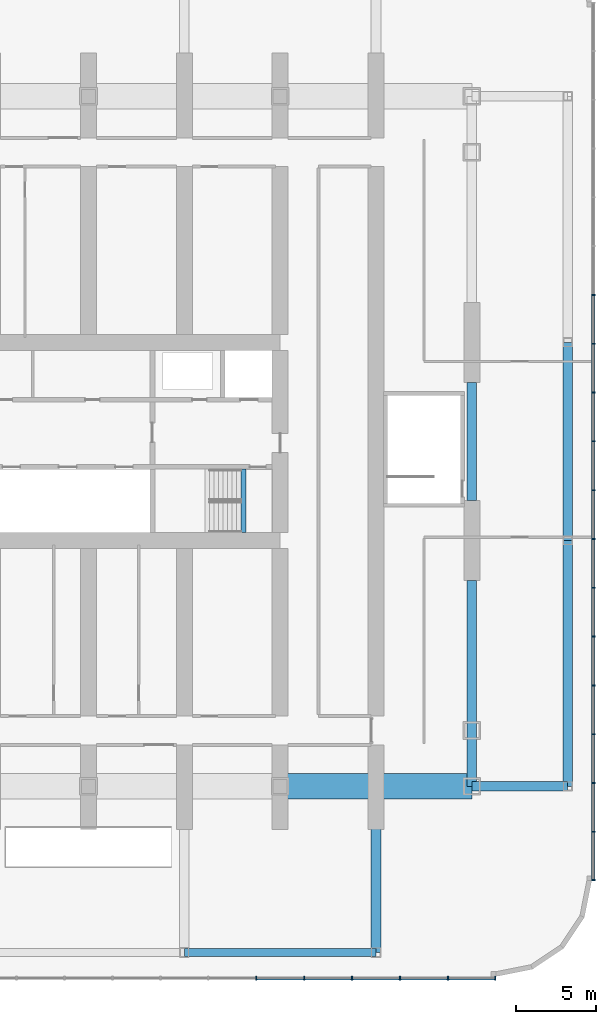
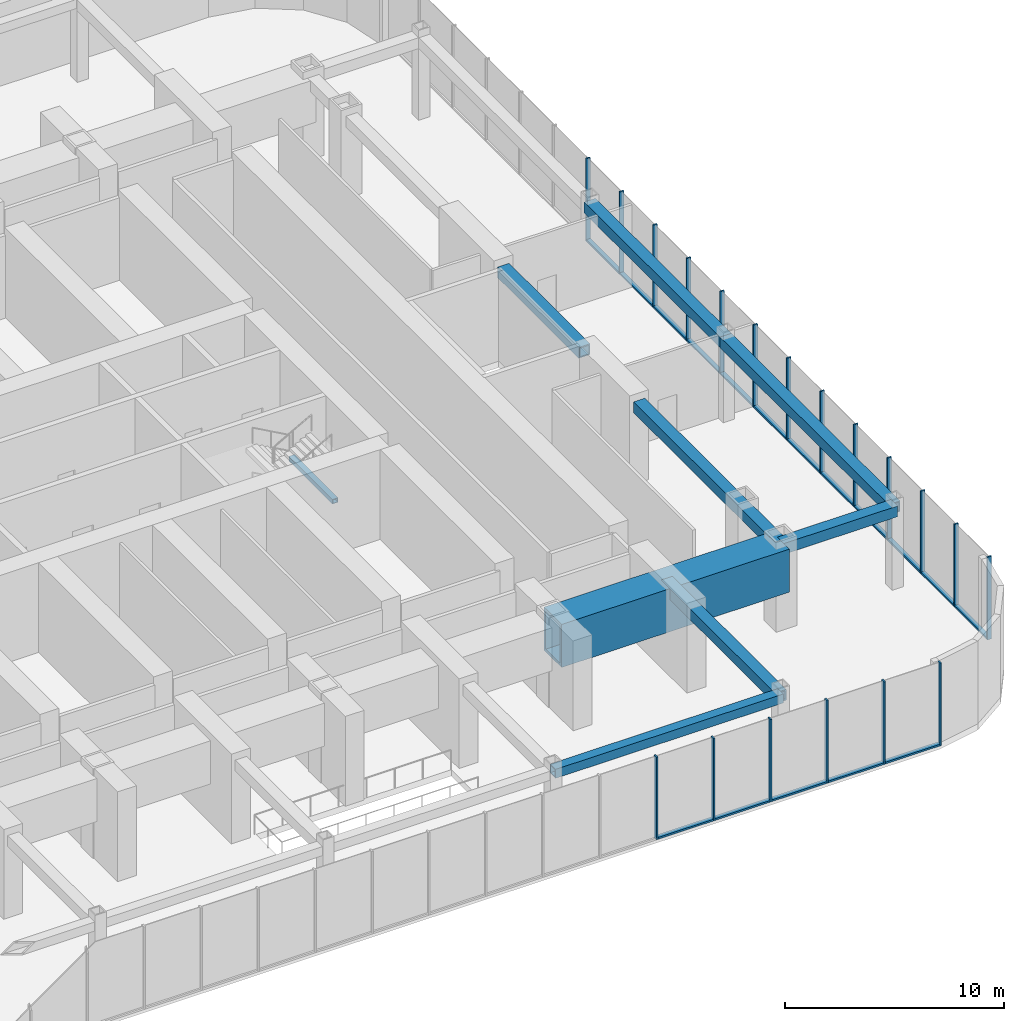
# One storey, part 8 of 26: 36 members, 9 beams, 2 elements without a shape of their own.
"""IFC4 building model written with IfcOpenShell, lengths in metres."""

from ifc_helpers import new_model, si_unit, direction, frame, origin, origin_2d, place, context, subcontext, project, spatial, rectangle, hollow_rectangle, extrude, material, material_profile, profile_set, type_object, element, aggregate, save


model = new_model("IFC4")

# Units and contexts
model_context = context("Model", 3, precision=1e-05, world=origin(), true_north=direction((0.0, 1.0)))
body_context = subcontext(model_context, "Body", "Model", "MODEL_VIEW")
ifc_project = project(units=[si_unit("LENGTHUNIT", "METRE"), si_unit("AREAUNIT", "SQUARE_METRE"), si_unit("VOLUMEUNIT", "CUBIC_METRE"), si_unit("PLANEANGLEUNIT", "RADIAN"), si_unit("MASSUNIT", "GRAM", prefix="KILO")], contexts=[model_context])

# Site, building, storey
site_placement = place(None, origin())
site = spatial("IfcSite", under=ifc_project, at=site_placement, CompositionType="ELEMENT")
building_placement = place(site_placement, origin())
building = spatial("IfcBuilding", under=site, at=building_placement, Name="Orbita Commons", CompositionType="ELEMENT")
storey_placement = place(building_placement, frame((0.0, 0.0, 11.0)))
storey = spatial("IfcBuildingStorey", under=building, at=storey_placement, Name="L02", CompositionType="ELEMENT", Elevation=11.0)

# Curtain wall, members
ifc_material_1 = material(Name="Anodised aluminium frame, pale silver", Category="aluminium")
curtain_wall_type = type_object("IfcCurtainWallType", Name="Podium storefront curtain wall CW-P", PredefinedType="NOTDEFINED", material=ifc_material_1)
curtain_wall_1_placement = place(storey_placement, origin())
curtain_wall_1 = element("IfcCurtainWall", 1, at=curtain_wall_1_placement, inside=storey, type_object=curtain_wall_type, Name="Curtain wall S 1 L02", PredefinedType="NOTDEFINED")
ifc_material_2 = material(Name="Anodised aluminium, pale silver", Category="aluminium")
ifc_material_profile_1 = material_profile(ifc_material_2, rectangle(XDim=0.080078125, YDim=0.219970703125, at=origin_2d()), Name="AL 80x220")
ifc_profile_set_1 = profile_set([ifc_material_profile_1], Name="Anodised aluminium, pale silver")
member_type_1 = type_object("IfcMemberType", Name="Curtain wall mullion 80x220", PredefinedType="MULLION", material=ifc_profile_set_1)
member_1_placement = place(storey_placement, frame((64.5, -1.610107421875, 0.0), z_axis=(0.0, 0.0, 1.0), x_axis=(1.0, 0.0, 0.0)))
member_1 = element("IfcMember", 2, at=member_1_placement, type_object=member_type_1, Name="Mullion 21 CW-L02-S0", PredefinedType="MULLION", context=body_context, shape_type="SweptSolid", body=[
    extrude(rectangle(XDim=0.080078125, YDim=0.219970703125, at=origin_2d()), origin(), (0.0, 0.0, 1.0), 4.60009765625),
])
member_2_placement = place(storey_placement, frame((67.5, -1.610107421875, 0.0), z_axis=(0.0, 0.0, 1.0), x_axis=(1.0, 0.0, 0.0)))
member_2 = element("IfcMember", 3, at=member_2_placement, type_object=member_type_1, Name="Mullion 22 CW-L02-S0", PredefinedType="MULLION", context=body_context, shape_type="SweptSolid", body=[
    extrude(rectangle(XDim=0.080078125, YDim=0.219970703125, at=origin_2d()), origin(), (0.0, 0.0, 1.0), 4.60009765625),
])
member_3_placement = place(storey_placement, frame((70.5, -1.610107421875, 0.0), z_axis=(0.0, 0.0, 1.0), x_axis=(1.0, 0.0, 0.0)))
member_3 = element("IfcMember", 4, at=member_3_placement, type_object=member_type_1, Name="Mullion 23 CW-L02-S0", PredefinedType="MULLION", context=body_context, shape_type="SweptSolid", body=[
    extrude(rectangle(XDim=0.080078125, YDim=0.219970703125, at=origin_2d()), origin(), (0.0, 0.0, 1.0), 4.60009765625),
])
member_4_placement = place(storey_placement, frame((73.5, -1.610107421875, 0.0), z_axis=(0.0, 0.0, 1.0), x_axis=(1.0, 0.0, 0.0)))
member_4 = element("IfcMember", 5, at=member_4_placement, type_object=member_type_1, Name="Mullion 24 CW-L02-S0", PredefinedType="MULLION", context=body_context, shape_type="SweptSolid", body=[
    extrude(rectangle(XDim=0.080078125, YDim=0.219970703125, at=origin_2d()), origin(), (0.0, 0.0, 1.0), 4.60009765625),
])
member_5_placement = place(storey_placement, frame((76.5, -1.610107421875, 0.0), z_axis=(0.0, 0.0, 1.0), x_axis=(1.0, 0.0, 0.0)))
member_5 = element("IfcMember", 6, at=member_5_placement, type_object=member_type_1, Name="Mullion 25 CW-L02-S0", PredefinedType="MULLION", context=body_context, shape_type="SweptSolid", body=[
    extrude(rectangle(XDim=0.080078125, YDim=0.219970703125, at=origin_2d()), origin(), (0.0, 0.0, 1.0), 4.60009765625),
])
member_6_placement = place(storey_placement, frame((79.4599609375, -1.610107421875, 0.0), z_axis=(0.0, 0.0, 1.0), x_axis=(1.0, 0.0, 0.0)))
member_6 = element("IfcMember", 7, at=member_6_placement, type_object=member_type_1, Name="Mullion 26 CW-L02-S0", PredefinedType="MULLION", context=body_context, shape_type="SweptSolid", body=[
    extrude(rectangle(XDim=0.080078125, YDim=0.219970703125, at=origin_2d()), origin(), (0.0, 0.0, 1.0), 4.60009765625),
])

curtain_wall_2_placement = place(storey_placement, origin())
curtain_wall_2 = element("IfcCurtainWall", 8, at=curtain_wall_2_placement, inside=storey, type_object=curtain_wall_type, Name="Curtain wall E 1 L02", PredefinedType="NOTDEFINED")
member_7_placement = place(storey_placement, frame((85.610107421875, 4.5400390625, 0.0), z_axis=(0.0, 0.0, 1.0), x_axis=(0.0, 1.0, 0.0)))
member_7 = element("IfcMember", 9, at=member_7_placement, type_object=member_type_1, Name="Mullion 1 CW-L02-E0", PredefinedType="MULLION", context=body_context, shape_type="SweptSolid", body=[
    extrude(rectangle(XDim=0.080078125, YDim=0.219970703125, at=origin_2d()), origin(), (0.0, 0.0, 1.0), 4.60009765625),
])
member_8_placement = place(storey_placement, frame((85.610107421875, 7.5556640625, 0.0), z_axis=(0.0, 0.0, 1.0), x_axis=(0.0, 1.0, 0.0)))
member_8 = element("IfcMember", 10, at=member_8_placement, type_object=member_type_1, Name="Mullion 2 CW-L02-E0", PredefinedType="MULLION", context=body_context, shape_type="SweptSolid", body=[
    extrude(rectangle(XDim=0.080078125, YDim=0.219970703125, at=origin_2d()), origin(), (0.0, 0.0, 1.0), 4.60009765625),
])
member_9_placement = place(storey_placement, frame((85.610107421875, 10.611083984375, 0.0), z_axis=(0.0, 0.0, 1.0), x_axis=(0.0, 1.0, 0.0)))
member_9 = element("IfcMember", 11, at=member_9_placement, type_object=member_type_1, Name="Mullion 3 CW-L02-E0", PredefinedType="MULLION", context=body_context, shape_type="SweptSolid", body=[
    extrude(rectangle(XDim=0.080078125, YDim=0.219970703125, at=origin_2d()), origin(), (0.0, 0.0, 1.0), 4.60009765625),
])
member_10_placement = place(storey_placement, frame((85.610107421875, 13.666748046875, 0.0), z_axis=(0.0, 0.0, 1.0), x_axis=(0.0, 1.0, 0.0)))
member_10 = element("IfcMember", 12, at=member_10_placement, type_object=member_type_1, Name="Mullion 4 CW-L02-E0", PredefinedType="MULLION", context=body_context, shape_type="SweptSolid", body=[
    extrude(rectangle(XDim=0.080078125, YDim=0.219970703125, at=origin_2d()), origin(), (0.0, 0.0, 1.0), 4.60009765625),
])
member_11_placement = place(storey_placement, frame((85.610107421875, 16.72216796875, 0.0), z_axis=(0.0, 0.0, 1.0), x_axis=(0.0, 1.0, 0.0)))
member_11 = element("IfcMember", 13, at=member_11_placement, type_object=member_type_1, Name="Mullion 5 CW-L02-E0", PredefinedType="MULLION", context=body_context, shape_type="SweptSolid", body=[
    extrude(rectangle(XDim=0.080078125, YDim=0.219970703125, at=origin_2d()), origin(), (0.0, 0.0, 1.0), 4.60009765625),
])
member_12_placement = place(storey_placement, frame((85.610107421875, 19.77783203125, 0.0), z_axis=(0.0, 0.0, 1.0), x_axis=(0.0, 1.0, 0.0)))
member_12 = element("IfcMember", 14, at=member_12_placement, type_object=member_type_1, Name="Mullion 6 CW-L02-E0", PredefinedType="MULLION", context=body_context, shape_type="SweptSolid", body=[
    extrude(rectangle(XDim=0.080078125, YDim=0.219970703125, at=origin_2d()), origin(), (0.0, 0.0, 1.0), 4.60009765625),
])
member_13_placement = place(storey_placement, frame((85.610107421875, 22.833251953125, 0.0), z_axis=(0.0, 0.0, 1.0), x_axis=(0.0, 1.0, 0.0)))
member_13 = element("IfcMember", 15, at=member_13_placement, type_object=member_type_1, Name="Mullion 7 CW-L02-E0", PredefinedType="MULLION", context=body_context, shape_type="SweptSolid", body=[
    extrude(rectangle(XDim=0.080078125, YDim=0.219970703125, at=origin_2d()), origin(), (0.0, 0.0, 1.0), 4.60009765625),
])
member_14_placement = place(storey_placement, frame((85.610107421875, 25.888916015625, 0.0), z_axis=(0.0, 0.0, 1.0), x_axis=(0.0, 1.0, 0.0)))
member_14 = element("IfcMember", 16, at=member_14_placement, type_object=member_type_1, Name="Mullion 8 CW-L02-E0", PredefinedType="MULLION", context=body_context, shape_type="SweptSolid", body=[
    extrude(rectangle(XDim=0.080078125, YDim=0.219970703125, at=origin_2d()), origin(), (0.0, 0.0, 1.0), 4.60009765625),
])
member_15_placement = place(storey_placement, frame((85.610107421875, 28.9443359375, 0.0), z_axis=(0.0, 0.0, 1.0), x_axis=(0.0, 1.0, 0.0)))
member_15 = element("IfcMember", 17, at=member_15_placement, type_object=member_type_1, Name="Mullion 9 CW-L02-E0", PredefinedType="MULLION", context=body_context, shape_type="SweptSolid", body=[
    extrude(rectangle(XDim=0.080078125, YDim=0.219970703125, at=origin_2d()), origin(), (0.0, 0.0, 1.0), 4.60009765625),
])
member_16_placement = place(storey_placement, frame((85.610107421875, 32.0, 0.0), z_axis=(0.0, 0.0, 1.0), x_axis=(0.0, 1.0, 0.0)))
member_16 = element("IfcMember", 18, at=member_16_placement, type_object=member_type_1, Name="Mullion 10 CW-L02-E0", PredefinedType="MULLION", context=body_context, shape_type="SweptSolid", body=[
    extrude(rectangle(XDim=0.080078125, YDim=0.219970703125, at=origin_2d()), origin(), (0.0, 0.0, 1.0), 4.60009765625),
])
member_17_placement = place(storey_placement, frame((85.610107421875, 35.0556640625, 0.0), z_axis=(0.0, 0.0, 1.0), x_axis=(0.0, 1.0, 0.0)))
member_17 = element("IfcMember", 19, at=member_17_placement, type_object=member_type_1, Name="Mullion 11 CW-L02-E0", PredefinedType="MULLION", context=body_context, shape_type="SweptSolid", body=[
    extrude(rectangle(XDim=0.080078125, YDim=0.219970703125, at=origin_2d()), origin(), (0.0, 0.0, 1.0), 4.60009765625),
])
member_18_placement = place(storey_placement, frame((85.610107421875, 38.111083984375, 0.0), z_axis=(0.0, 0.0, 1.0), x_axis=(0.0, 1.0, 0.0)))
member_18 = element("IfcMember", 20, at=member_18_placement, type_object=member_type_1, Name="Mullion 12 CW-L02-E0", PredefinedType="MULLION", context=body_context, shape_type="SweptSolid", body=[
    extrude(rectangle(XDim=0.080078125, YDim=0.219970703125, at=origin_2d()), origin(), (0.0, 0.0, 1.0), 4.60009765625),
])
member_19_placement = place(storey_placement, frame((85.610107421875, 41.166748046875, 0.0), z_axis=(0.0, 0.0, 1.0), x_axis=(0.0, 1.0, 0.0)))
member_19 = element("IfcMember", 21, at=member_19_placement, type_object=member_type_1, Name="Mullion 13 CW-L02-E0", PredefinedType="MULLION", context=body_context, shape_type="SweptSolid", body=[
    extrude(rectangle(XDim=0.080078125, YDim=0.219970703125, at=origin_2d()), origin(), (0.0, 0.0, 1.0), 4.60009765625),
])

# Member
ifc_material_3 = material(Name="Anodised aluminium, pale silver", Category="aluminium")
ifc_material_profile_2 = material_profile(ifc_material_3, rectangle(XDim=0.219970703125, YDim=0.10009765625, at=origin_2d()), Name="AL 220x100")
ifc_profile_set_2 = profile_set([ifc_material_profile_2], Name="Anodised aluminium, pale silver")
member_type_2 = type_object("IfcMemberType", Name="Curtain wall stack transom 220x100", PredefinedType="USERDEFINED", material=ifc_profile_set_2)
member_20_placement = place(storey_placement, frame((64.5400390625, -1.610107421875, 0.050048828125), z_axis=(1.0, 0.0, 0.0), x_axis=(0.0, 1.0, 0.0)))
member_20 = element("IfcMember", 22, at=member_20_placement, type_object=member_type_2, Name="Transom 21.1 CW-L02-S0", ObjectType="TRANSOM", PredefinedType="USERDEFINED", context=body_context, shape_type="SweptSolid", body=[
    extrude(rectangle(XDim=0.219970703125, YDim=0.10009765625, at=origin_2d()), origin(), (0.0, 0.0, 1.0), 2.919921875),
])

member_21_placement = place(storey_placement, frame((67.5400390625, -1.610107421875, 0.050048828125), z_axis=(1.0, 0.0, 0.0), x_axis=(0.0, 1.0, 0.0)))
member_21 = element("IfcMember", 23, at=member_21_placement, type_object=member_type_2, Name="Transom 22.1 CW-L02-S0", ObjectType="TRANSOM", PredefinedType="USERDEFINED", context=body_context, shape_type="SweptSolid", body=[
    extrude(rectangle(XDim=0.219970703125, YDim=0.10009765625, at=origin_2d()), origin(), (0.0, 0.0, 1.0), 2.919921875),
])

member_22_placement = place(storey_placement, frame((70.5400390625, -1.610107421875, 0.050048828125), z_axis=(1.0, 0.0, 0.0), x_axis=(0.0, 1.0, 0.0)))
member_22 = element("IfcMember", 24, at=member_22_placement, type_object=member_type_2, Name="Transom 23.1 CW-L02-S0", ObjectType="TRANSOM", PredefinedType="USERDEFINED", context=body_context, shape_type="SweptSolid", body=[
    extrude(rectangle(XDim=0.219970703125, YDim=0.10009765625, at=origin_2d()), origin(), (0.0, 0.0, 1.0), 2.919921875),
])

member_23_placement = place(storey_placement, frame((73.5400390625, -1.610107421875, 0.050048828125), z_axis=(1.0, 0.0, 0.0), x_axis=(0.0, 1.0, 0.0)))
member_23 = element("IfcMember", 25, at=member_23_placement, type_object=member_type_2, Name="Transom 24.1 CW-L02-S0", ObjectType="TRANSOM", PredefinedType="USERDEFINED", context=body_context, shape_type="SweptSolid", body=[
    extrude(rectangle(XDim=0.219970703125, YDim=0.10009765625, at=origin_2d()), origin(), (0.0, 0.0, 1.0), 2.919921875),
])

member_24_placement = place(storey_placement, frame((76.5400390625, -1.610107421875, 0.050048828125), z_axis=(1.0, 0.0, 0.0), x_axis=(0.0, 1.0, 0.0)))
member_24 = element("IfcMember", 26, at=member_24_placement, type_object=member_type_2, Name="Transom 25.1 CW-L02-S0", ObjectType="TRANSOM", PredefinedType="USERDEFINED", context=body_context, shape_type="SweptSolid", body=[
    extrude(rectangle(XDim=0.219970703125, YDim=0.10009765625, at=origin_2d()), origin(), (0.0, 0.0, 1.0), 2.8798828125),
])

aggregate(curtain_wall_1, [member_1, member_2, member_3, member_4, member_5, member_6, member_20, member_21, member_22, member_23, member_24])

member_25_placement = place(storey_placement, frame((85.610107421875, 4.580078125, 0.050048828125), z_axis=(0.0, 1.0, 0.0), x_axis=(-1.0, 0.0, 0.0)))
member_25 = element("IfcMember", 27, at=member_25_placement, type_object=member_type_2, Name="Transom 1.1 CW-L02-E0", ObjectType="TRANSOM", PredefinedType="USERDEFINED", context=body_context, shape_type="SweptSolid", body=[
    extrude(rectangle(XDim=0.219970703125, YDim=0.10009765625, at=origin_2d()), origin(), (0.0, 0.0, 1.0), 2.935546875),
])

member_26_placement = place(storey_placement, frame((85.610107421875, 7.595458984375, 0.050048828125), z_axis=(0.0, 1.0, 0.0), x_axis=(-1.0, 0.0, 0.0)))
member_26 = element("IfcMember", 28, at=member_26_placement, type_object=member_type_2, Name="Transom 2.1 CW-L02-E0", ObjectType="TRANSOM", PredefinedType="USERDEFINED", context=body_context, shape_type="SweptSolid", body=[
    extrude(rectangle(XDim=0.219970703125, YDim=0.10009765625, at=origin_2d()), origin(), (0.0, 0.0, 1.0), 2.9755859375),
])

member_27_placement = place(storey_placement, frame((85.610107421875, 10.651123046875, 0.050048828125), z_axis=(0.0, 1.0, 0.0), x_axis=(-1.0, 0.0, 0.0)))
member_27 = element("IfcMember", 29, at=member_27_placement, type_object=member_type_2, Name="Transom 3.1 CW-L02-E0", ObjectType="TRANSOM", PredefinedType="USERDEFINED", context=body_context, shape_type="SweptSolid", body=[
    extrude(rectangle(XDim=0.219970703125, YDim=0.10009765625, at=origin_2d()), origin(), (0.0, 0.0, 1.0), 2.9755859375),
])

member_28_placement = place(storey_placement, frame((85.610107421875, 13.706787109375, 0.050048828125), z_axis=(0.0, 1.0, 0.0), x_axis=(-1.0, 0.0, 0.0)))
member_28 = element("IfcMember", 30, at=member_28_placement, type_object=member_type_2, Name="Transom 4.1 CW-L02-E0", ObjectType="TRANSOM", PredefinedType="USERDEFINED", context=body_context, shape_type="SweptSolid", body=[
    extrude(rectangle(XDim=0.219970703125, YDim=0.10009765625, at=origin_2d()), origin(), (0.0, 0.0, 1.0), 2.975341796875),
])

member_29_placement = place(storey_placement, frame((85.610107421875, 16.76220703125, 0.050048828125), z_axis=(0.0, 1.0, 0.0), x_axis=(-1.0, 0.0, 0.0)))
member_29 = element("IfcMember", 31, at=member_29_placement, type_object=member_type_2, Name="Transom 5.1 CW-L02-E0", ObjectType="TRANSOM", PredefinedType="USERDEFINED", context=body_context, shape_type="SweptSolid", body=[
    extrude(rectangle(XDim=0.219970703125, YDim=0.10009765625, at=origin_2d()), origin(), (0.0, 0.0, 1.0), 2.9755859375),
])

member_30_placement = place(storey_placement, frame((85.610107421875, 19.81787109375, 0.050048828125), z_axis=(0.0, 1.0, 0.0), x_axis=(-1.0, 0.0, 0.0)))
member_30 = element("IfcMember", 32, at=member_30_placement, type_object=member_type_2, Name="Transom 6.1 CW-L02-E0", ObjectType="TRANSOM", PredefinedType="USERDEFINED", context=body_context, shape_type="SweptSolid", body=[
    extrude(rectangle(XDim=0.219970703125, YDim=0.10009765625, at=origin_2d()), origin(), (0.0, 0.0, 1.0), 2.975341796875),
])

member_31_placement = place(storey_placement, frame((85.610107421875, 22.873291015625, 0.050048828125), z_axis=(0.0, 1.0, 0.0), x_axis=(-1.0, 0.0, 0.0)))
member_31 = element("IfcMember", 33, at=member_31_placement, type_object=member_type_2, Name="Transom 7.1 CW-L02-E0", ObjectType="TRANSOM", PredefinedType="USERDEFINED", context=body_context, shape_type="SweptSolid", body=[
    extrude(rectangle(XDim=0.219970703125, YDim=0.10009765625, at=origin_2d()), origin(), (0.0, 0.0, 1.0), 2.9755859375),
])

member_32_placement = place(storey_placement, frame((85.610107421875, 25.928955078125, 0.050048828125), z_axis=(0.0, 1.0, 0.0), x_axis=(-1.0, 0.0, 0.0)))
member_32 = element("IfcMember", 34, at=member_32_placement, type_object=member_type_2, Name="Transom 8.1 CW-L02-E0", ObjectType="TRANSOM", PredefinedType="USERDEFINED", context=body_context, shape_type="SweptSolid", body=[
    extrude(rectangle(XDim=0.219970703125, YDim=0.10009765625, at=origin_2d()), origin(), (0.0, 0.0, 1.0), 2.9755859375),
])

member_33_placement = place(storey_placement, frame((85.610107421875, 28.984375, 0.050048828125), z_axis=(0.0, 1.0, 0.0), x_axis=(-1.0, 0.0, 0.0)))
member_33 = element("IfcMember", 35, at=member_33_placement, type_object=member_type_2, Name="Transom 9.1 CW-L02-E0", ObjectType="TRANSOM", PredefinedType="USERDEFINED", context=body_context, shape_type="SweptSolid", body=[
    extrude(rectangle(XDim=0.219970703125, YDim=0.10009765625, at=origin_2d()), origin(), (0.0, 0.0, 1.0), 2.9755859375),
])

member_34_placement = place(storey_placement, frame((85.610107421875, 32.0400390625, 0.050048828125), z_axis=(0.0, 1.0, 0.0), x_axis=(-1.0, 0.0, 0.0)))
member_34 = element("IfcMember", 36, at=member_34_placement, type_object=member_type_2, Name="Transom 10.1 CW-L02-E0", ObjectType="TRANSOM", PredefinedType="USERDEFINED", context=body_context, shape_type="SweptSolid", body=[
    extrude(rectangle(XDim=0.219970703125, YDim=0.10009765625, at=origin_2d()), origin(), (0.0, 0.0, 1.0), 2.9755859375),
])

member_35_placement = place(storey_placement, frame((85.610107421875, 35.095458984375, 0.050048828125), z_axis=(0.0, 1.0, 0.0), x_axis=(-1.0, 0.0, 0.0)))
member_35 = element("IfcMember", 37, at=member_35_placement, type_object=member_type_2, Name="Transom 11.1 CW-L02-E0", ObjectType="TRANSOM", PredefinedType="USERDEFINED", context=body_context, shape_type="SweptSolid", body=[
    extrude(rectangle(XDim=0.219970703125, YDim=0.10009765625, at=origin_2d()), origin(), (0.0, 0.0, 1.0), 2.9755859375),
])

member_36_placement = place(storey_placement, frame((85.610107421875, 38.151123046875, 0.050048828125), z_axis=(0.0, 1.0, 0.0), x_axis=(-1.0, 0.0, 0.0)))
member_36 = element("IfcMember", 38, at=member_36_placement, type_object=member_type_2, Name="Transom 12.1 CW-L02-E0", ObjectType="TRANSOM", PredefinedType="USERDEFINED", context=body_context, shape_type="SweptSolid", body=[
    extrude(rectangle(XDim=0.219970703125, YDim=0.10009765625, at=origin_2d()), origin(), (0.0, 0.0, 1.0), 2.9755859375),
])

aggregate(curtain_wall_2, [member_7, member_8, member_9, member_10, member_11, member_12, member_13, member_14, member_15, member_16, member_17, member_18, member_19, member_25, member_26, member_27, member_28, member_29, member_30, member_31, member_32, member_33, member_34, member_35, member_36])

# Beams
ifc_material_4 = material(Name="Steel ASTM A572 Gr 50 welded plate", Category="steel")
ifc_material_profile_3 = material_profile(ifc_material_4, hollow_rectangle(XDim=0.300048828125, YDim=0.25, WallThickness=0.02490234375, at=origin_2d()), Name="BOX 250x300x25")
ifc_profile_set_3 = profile_set([ifc_material_profile_3], Name="Steel ASTM A572 Gr 50 welded plate")
beam_type_1 = type_object("IfcBeamType", Name="Stair landing beam steel BOX 250x300x25", PredefinedType="BEAM", material=ifc_profile_set_3)
beam_1_placement = place(storey_placement, frame((63.699951171875, 26.284912109375, 2.175048828125), z_axis=(0.0, 1.0, 0.0), x_axis=(-1.0, 0.0, 0.0)))
element("IfcBeam", 39, at=beam_1_placement, inside=storey, type_object=beam_type_1, Name="Stair S2 landing beam L02 2", PredefinedType="BEAM", context=body_context, shape_type="SweptSolid", body=[
    extrude(hollow_rectangle(XDim=0.300048828125, YDim=0.25, WallThickness=0.02490234375, at=origin_2d()), origin(), (0.0, 0.0, 1.0), 3.97998046875),
])
ifc_material_5 = material(Name="Steel ASTM A572 Gr 50 welded plate", Category="steel")
ifc_material_profile_4 = material_profile(ifc_material_5, hollow_rectangle(XDim=0.5, YDim=0.5, WallThickness=0.050048828125, at=origin_2d()), Name="BOX 500x500x50")
ifc_profile_set_4 = profile_set([ifc_material_profile_4], Name="Steel ASTM A572 Gr 50 welded plate")
beam_type_2 = type_object("IfcBeamType", Name="Steel edge beam BOX 500x500x50", PredefinedType="SPANDREL", material=ifc_profile_set_4)
beam_2_placement = place(storey_placement, frame((60.0, 0.0, 4.35009765625), z_axis=(1.0, 0.0, 0.0), x_axis=(0.0, 1.0, 0.0)))
element("IfcBeam", 40, at=beam_2_placement, inside=storey, type_object=beam_type_2, Name="Edge beam A 11-13 L02", PredefinedType="SPANDREL", context=body_context, shape_type="SweptSolid", body=[
    extrude(hollow_rectangle(XDim=0.5, YDim=0.5, WallThickness=0.050048828125, at=origin_2d()), origin(), (0.0, 0.0, 1.0), 12.0),
])
ifc_material_6 = material(Name="Steel ASTM A572 Gr 50 welded plate", Category="steel")
ifc_material_profile_5 = material_profile(ifc_material_6, hollow_rectangle(XDim=0.60009765625, YDim=0.60009765625, WallThickness=0.06005859375, at=origin_2d()), Name="BOX 600x600x60")
ifc_profile_set_5 = profile_set([ifc_material_profile_5], Name="Steel ASTM A572 Gr 50 welded plate")
beam_type_3 = type_object("IfcBeamType", Name="Steel podium beam BOX 600x600x60", PredefinedType="BEAM", material=ifc_profile_set_5)
beam_3_placement = place(storey_placement, frame((72.0, 0.0, 4.300048828125), z_axis=(0.0, 1.0, 0.0), x_axis=(-1.0, 0.0, 0.0)))
element("IfcBeam", 41, at=beam_3_placement, inside=storey, type_object=beam_type_3, Name="Podium beam 13 A-B L02", PredefinedType="BEAM", context=body_context, shape_type="SweptSolid", body=[
    extrude(hollow_rectangle(XDim=0.60009765625, YDim=0.60009765625, WallThickness=0.06005859375, at=origin_2d()), origin(), (0.0, 0.0, 1.0), 10.39990234375),
])
beam_4_placement = place(storey_placement, frame((78.0, 10.39990234375, 4.300048828125), z_axis=(1.0, 0.0, 0.0), x_axis=(0.0, 1.0, 0.0)))
element("IfcBeam", 42, at=beam_4_placement, inside=storey, type_object=beam_type_3, Name="Podium beam B 14-15 L02", PredefinedType="BEAM", context=body_context, shape_type="SweptSolid", body=[
    extrude(hollow_rectangle(XDim=0.60009765625, YDim=0.60009765625, WallThickness=0.06005859375, at=origin_2d()), origin(), (0.0, 0.0, 1.0), 6.0),
])
beam_5_placement = place(storey_placement, frame((84.0, 10.39990234375, 4.300048828125), z_axis=(0.0, 1.0, 0.0), x_axis=(-1.0, 0.0, 0.0)))
element("IfcBeam", 43, at=beam_5_placement, inside=storey, type_object=beam_type_3, Name="Podium beam 15 B-C L02", PredefinedType="BEAM", context=body_context, shape_type="SweptSolid", body=[
    extrude(hollow_rectangle(XDim=0.60009765625, YDim=0.60009765625, WallThickness=0.06005859375, at=origin_2d()), origin(), (0.0, 0.0, 1.0), 15.400146484375),
])
beam_6_placement = place(storey_placement, frame((84.0, 25.800048828125, 4.300048828125), z_axis=(0.0, 1.0, 0.0), x_axis=(-1.0, 0.0, 0.0)))
element("IfcBeam", 44, at=beam_6_placement, inside=storey, type_object=beam_type_3, Name="Podium beam 15 C-D L02", PredefinedType="BEAM", context=body_context, shape_type="SweptSolid", body=[
    extrude(hollow_rectangle(XDim=0.60009765625, YDim=0.60009765625, WallThickness=0.06005859375, at=origin_2d()), origin(), (0.0, 0.0, 1.0), 12.39990234375),
])
beam_7_placement = place(storey_placement, frame((78.0, 10.39990234375, 4.300048828125), z_axis=(0.0, 1.0, 0.0), x_axis=(-1.0, 0.0, 0.0)))
element("IfcBeam", 45, at=beam_7_placement, inside=storey, type_object=beam_type_3, Name="Podium beam 14 B-C L02", PredefinedType="BEAM", context=body_context, shape_type="SweptSolid", body=[
    extrude(hollow_rectangle(XDim=0.60009765625, YDim=0.60009765625, WallThickness=0.06005859375, at=origin_2d()), origin(), (0.0, 0.0, 1.0), 12.900146484375),
])
beam_8_placement = place(storey_placement, frame((78.0, 28.300048828125, 4.300048828125), z_axis=(0.0, 1.0, 0.0), x_axis=(-1.0, 0.0, 0.0)))
element("IfcBeam", 46, at=beam_8_placement, inside=storey, type_object=beam_type_3, Name="Podium beam 14 C-D L02", PredefinedType="BEAM", context=body_context, shape_type="SweptSolid", body=[
    extrude(hollow_rectangle(XDim=0.60009765625, YDim=0.60009765625, WallThickness=0.06005859375, at=origin_2d()), origin(), (0.0, 0.0, 1.0), 7.39990234375),
])
ifc_material_7 = material(Name="Steel ASTM A572 Gr 42 welded plate", Category="steel")
ifc_material_profile_6 = material_profile(ifc_material_7, hollow_rectangle(XDim=1.60009765625, YDim=2.39990234375, WallThickness=0.14990234375, at=origin_2d()), Name="BOX 2400x1600x150")
ifc_profile_set_6 = profile_set([ifc_material_profile_6], Name="Steel ASTM A572 Gr 42 welded plate")
beam_type_4 = type_object("IfcBeamType", Name="Steel transfer girder BOX 2400x1600x150", PredefinedType="BEAM", material=ifc_profile_set_6)
beam_9_placement = place(storey_placement, frame((66.0, 10.39990234375, 3.39990234375), z_axis=(1.0, 0.0, 0.0), x_axis=(0.0, 1.0, 0.0)))
element("IfcBeam", 47, at=beam_9_placement, inside=storey, type_object=beam_type_4, Name="Transfer girder B 12-14", PredefinedType="BEAM", context=body_context, shape_type="SweptSolid", body=[
    extrude(hollow_rectangle(XDim=1.60009765625, YDim=2.39990234375, WallThickness=0.14990234375, at=origin_2d()), origin(), (0.0, 0.0, 1.0), 12.0),
])

save(model, "model.ifc")
